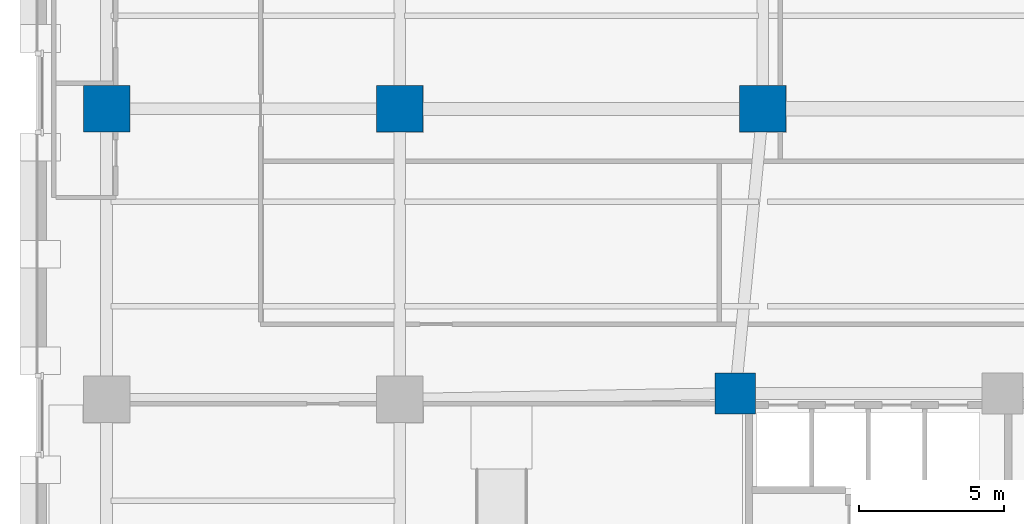
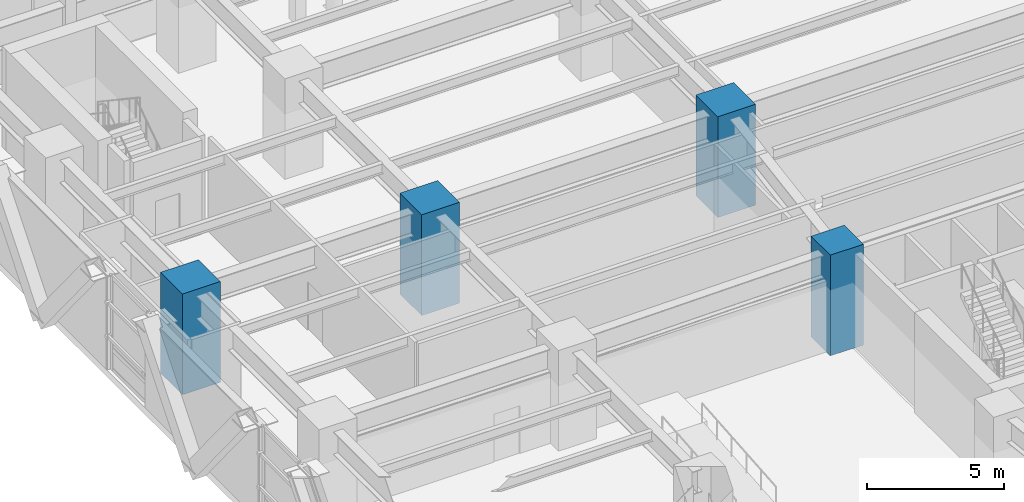
# One storey, part 2 of 26: 4 columns.
"""IFC4 building model written with IfcOpenShell, lengths in metres."""

from ifc_helpers import new_model, si_unit, direction, frame, origin, origin_2d, place, context, subcontext, project, spatial, rectangle, extrude, material, material_profile, profile_set, type_object, element, save


model = new_model("IFC4")

# Units and contexts
model_context = context("Model", 3, precision=1e-05, world=origin(), true_north=direction((0.0, 1.0)))
body_context = subcontext(model_context, "Body", "Model", "MODEL_VIEW")
ifc_project = project(units=[si_unit("LENGTHUNIT", "METRE"), si_unit("AREAUNIT", "SQUARE_METRE"), si_unit("VOLUMEUNIT", "CUBIC_METRE"), si_unit("PLANEANGLEUNIT", "RADIAN"), si_unit("MASSUNIT", "GRAM", prefix="KILO")], contexts=[model_context])

# Site, building, storey
site_placement = place(None, origin())
site = spatial("IfcSite", under=ifc_project, at=site_placement, CompositionType="ELEMENT")
building_placement = place(site_placement, origin())
building = spatial("IfcBuilding", under=site, at=building_placement, Name="Quenlor Broadcast Tower", CompositionType="ELEMENT")
storey_placement = place(building_placement, frame((0.0, 0.0, 5.0)))
storey = spatial("IfcBuildingStorey", under=building, at=storey_placement, Name="L01", CompositionType="ELEMENT", Elevation=5.0)

# Columns
ifc_material_1 = material(Name="Concrete C65/80", Category="concrete")
ifc_material_profile_1 = material_profile(ifc_material_1, rectangle(XDim=1.39990234375, YDim=1.39990234375, at=origin_2d()))
ifc_profile_set_1 = profile_set([ifc_material_profile_1], Name="Concrete C65/80 RC1400x1400")
column_type_1 = type_object("IfcColumnType", Name="Core Corner Column Lower Concrete C65/80 1400", PredefinedType="COLUMN", material=ifc_profile_set_1)
column_placement = place(storey_placement, frame((-12.949951171875, -4.800048828125, 0.0), z_axis=(0.0, 0.0, 1.0), x_axis=(1.0, 0.0, 0.0)))
element("IfcColumn", 1, at=column_placement, inside=storey, type_object=column_type_1, Name="L01 Core Column CC7", PredefinedType="COLUMN", context=body_context, shape_type="SweptSolid", body=[
    extrude(rectangle(XDim=1.39990234375, YDim=1.39990234375, at=origin_2d()), origin(), (0.0, 0.0, 1.0), 4.5),
])
ifc_material_2 = material(Name="Concrete C65/80", Category="concrete")
ifc_material_profile_2 = material_profile(ifc_material_2, rectangle(XDim=1.60009765625, YDim=1.60009765625, at=origin_2d()))
ifc_profile_set_2 = profile_set([ifc_material_profile_2], Name="Concrete C65/80 RC1600x1600")
column_type_2 = type_object("IfcColumnType", Name="Podium Mega Column Concrete C65/80 1600", PredefinedType="COLUMN", material=ifc_profile_set_2)
for number, where, z_axis, x_axis, name in (
    (2, (-34.60009765625, 5.0, 0.0), (0.0, 0.0, 1.0), (1.0, 0.0, 0.0), "L01 Podium Mega Column PM15"),
    (3, (-24.5, 5.0, 0.0), (0.0, 0.0, 1.0), (1.0, 0.0, 0.0), "L01 Podium Mega Column PM16"),
    (4, (-12.0, 5.0, 0.0), (0.0, 0.0, 1.0), (1.0, 0.0, 0.0), "L01 Podium Mega Column PM17"),
):
    element("IfcColumn", number, at=place(storey_placement, frame(where, z_axis=z_axis, x_axis=x_axis)), inside=storey, type_object=column_type_2, Name=name, PredefinedType="COLUMN", context=body_context, shape_type="SweptSolid", body=[
        extrude(rectangle(XDim=1.60009765625, YDim=1.60009765625, at=origin_2d()), origin(), (0.0, 0.0, 1.0), 4.5),
    ])

save(model, "model.ifc")
